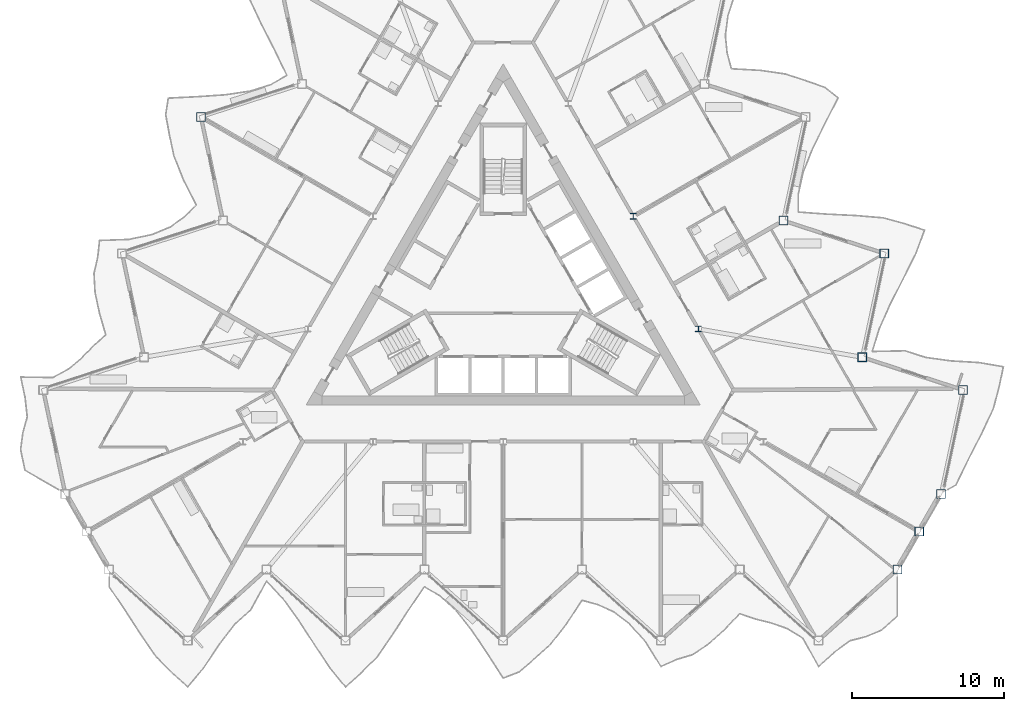
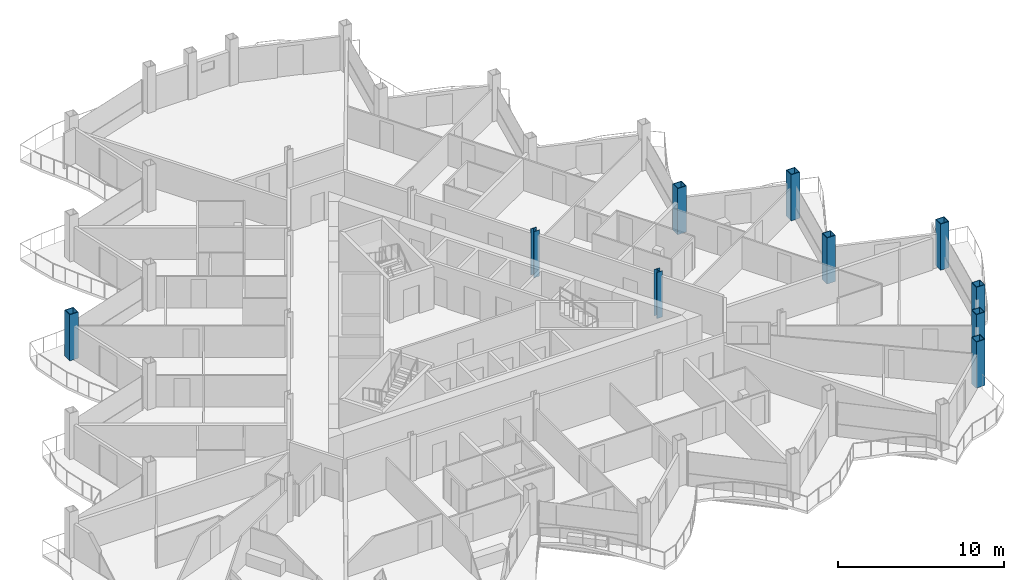
# One storey, part 2 of 26: 10 columns.
"""IFC4 building model written with IfcOpenShell, lengths in metres."""

import ifcopenshell
import ifcopenshell.guid

model = None  # the IFC model being written
_history = None  # IfcOwnerHistory: only IFC2X3 demands one
_inside = {}  # id of a spatial element -> (the spatial element, [elements in it])
_under = {}  # id of a project, library or spatial element -> (it, [spatial elements below it])
_declared = {}  # id of a project -> (the project, [libraries it declares])
_typed = {}  # id of a type object -> (the type object, [elements of that type])
_made_of = {}  # id of a material, layer set ... -> (it, [elements and type objects made of it])


def new_model(schema):
    """Start an empty IFC model of exactly this schema.

    Asked for "IFC4X3", IfcOpenShell would pick the latest addendum, in which some entities
    have other attributes; the version numbers below select the first issue.
    IFC2X3 requires an IfcOwnerHistory on every rooted entity: one is made here for all.
    """
    global model, _history
    if schema == "IFC4X3":
        model = ifcopenshell.file(schema_version=(4, 3, 0, 0))
    else:
        model = ifcopenshell.file(schema=schema)
    _inside.clear()
    _under.clear()
    _declared.clear()
    _typed.clear()
    _made_of.clear()
    _history = None
    if model.schema == "IFC2X3":
        org = make("IfcOrganization", Name="unknown")
        user = make(
            "IfcPersonAndOrganization",
            ThePerson=make("IfcPerson", FamilyName="unknown"),
            TheOrganization=org,
        )
        app = make(
            "IfcApplication",
            ApplicationDeveloper=org,
            Version="unknown",
            ApplicationFullName="unknown",
            ApplicationIdentifier="unknown",
        )
        _history = make(
            "IfcOwnerHistory",
            OwningUser=user,
            OwningApplication=app,
            ChangeAction="ADDED",
            CreationDate=0,
        )
    return model


def make(cls, **values):
    """One entity of the class cls with the attributes given. An attribute that is None is left unset."""
    return model.create_entity(
        cls, **{name: value for name, value in values.items() if value is not None}
    )


def rooted(cls, **values):
    """An entity with a GlobalId (a new one), such as an element, a storey or a relation."""
    return make(cls, GlobalId=ifcopenshell.guid.new(), OwnerHistory=_history, **values)


def si_unit(unit_type, name, prefix=None):
    """IfcSIUnit, for example si_unit("LENGTHUNIT", "METRE", prefix="MILLI")."""
    return make("IfcSIUnit", UnitType=unit_type, Prefix=prefix, Name=name)


def assignment(units):
    """IfcUnitAssignment: the units of a project."""
    return None if units is None else make("IfcUnitAssignment", Units=units)


def point(xyz):
    """IfcCartesianPoint."""
    return None if xyz is None else make("IfcCartesianPoint", Coordinates=xyz)


def direction(xyz):
    """IfcDirection."""
    return None if xyz is None else make("IfcDirection", DirectionRatios=xyz)


def frame(location, z_axis=None, x_axis=None):
    """IfcAxis2Placement3D, a coordinate frame: its origin and axes. An axis left out is left unset."""
    return make(
        "IfcAxis2Placement3D",
        Location=point(location),
        Axis=direction(z_axis),
        RefDirection=direction(x_axis),
    )


def frame_2d(location, x_axis=None):
    """IfcAxis2Placement2D, a coordinate frame in the plane: its origin and x axis."""
    return make(
        "IfcAxis2Placement2D", Location=point(location), RefDirection=direction(x_axis)
    )


def origin():
    """The frame at (0, 0, 0) with its axes left unset."""
    return frame((0.0, 0.0, 0.0))


def origin_2d():
    """The frame at (0, 0) in the plane with its x axis left unset."""
    return frame_2d((0.0, 0.0))


def place(relative_to, where):
    """IfcLocalPlacement: puts the frame where relative to a parent placement (None: the world)."""
    return make(
        "IfcLocalPlacement", PlacementRelTo=relative_to, RelativePlacement=where
    )


def context(
    kind, dimensions, precision=None, world=None, true_north=None, identifier=None
):
    """IfcGeometricRepresentationContext, for example the 3D "Model" context."""
    return make(
        "IfcGeometricRepresentationContext",
        ContextIdentifier=identifier,
        ContextType=kind,
        CoordinateSpaceDimension=dimensions,
        Precision=precision,
        WorldCoordinateSystem=world,
        TrueNorth=true_north,
    )


def subcontext(parent, identifier, kind, view, scale=None):
    """IfcGeometricRepresentationSubContext, for example "Body" below "Model"."""
    return make(
        "IfcGeometricRepresentationSubContext",
        ContextIdentifier=identifier,
        ContextType=kind,
        ParentContext=parent,
        TargetScale=scale,
        TargetView=view,
    )


def project(units=None, contexts=None):
    """IfcProject with its units and contexts."""
    return rooted(
        "IfcProject",
        Name="project",
        RepresentationContexts=contexts,
        UnitsInContext=assignment(units),
    )


def spatial(cls, under=None, at=None, **own):
    """A site, building, storey or space (cls), placed at a placement, below another one or the project."""
    s = rooted(cls, ObjectPlacement=at, **own)
    if under is not None:
        _under.setdefault(under.id(), (under, []))[1].append(s)
    return s


def profile(cls, at=None, kind="AREA", **sizes):
    """A parametric profile (cls). Its sizes go by their IFC names, for example OverallWidth=200.0."""
    return make(cls, ProfileType=kind, Position=at, **sizes)


def hollow_rectangle(**sizes):
    """IfcRectangleHollowProfileDef."""
    return profile("IfcRectangleHollowProfileDef", **sizes)


def i_section(**sizes):
    """IfcIShapeProfileDef."""
    return profile("IfcIShapeProfileDef", **sizes)


def extrude(swept, where, along, depth):
    """IfcExtrudedAreaSolid: the profile swept, set in the frame where, extruded along a direction by depth."""
    return make(
        "IfcExtrudedAreaSolid",
        SweptArea=swept,
        Position=where,
        ExtrudedDirection=direction(along),
        Depth=depth,
    )


def shape(context_of_items, identifier, shape_type, items):
    """IfcShapeRepresentation: the items that make up one representation, for example the "Body"."""
    return make(
        "IfcShapeRepresentation",
        ContextOfItems=context_of_items,
        RepresentationIdentifier=identifier,
        RepresentationType=shape_type,
        Items=items,
    )


def material(Name=None, Category=None):
    """IfcMaterial."""
    return make("IfcMaterial", Name=Name, Category=Category)


def material_profile(
    of_material, cross_section, Name=None, Category=None, Priority=None
):
    """IfcMaterialProfile: a cross section and its material."""
    return make(
        "IfcMaterialProfile",
        Name=Name,
        Material=of_material,
        Profile=cross_section,
        Priority=Priority,
        Category=Category,
    )


def profile_set(profiles, Name=None, composite=None):
    """IfcMaterialProfileSet."""
    return make(
        "IfcMaterialProfileSet",
        Name=Name,
        MaterialProfiles=profiles,
        CompositeProfile=composite,
    )


def made_of(thing, what):
    """Note that an element or type object is made of a material, layer set ...; save() writes the relation."""
    if what is not None:
        _made_of.setdefault(what.id(), (what, []))[1].append(thing)
    return thing


def type_object(cls, material=None, **own):
    """A type object (cls), such as IfcWallType, which elements share."""
    return made_of(rooted(cls, **own), material)


def element(
    cls,
    number,
    at=None,
    inside=None,
    cuts=None,
    type_object=None,
    material=None,
    context=None,
    identifier="Body",
    shape_type=None,
    held_by="IfcProductDefinitionShape",
    body=None,
    shapes=None,
    **own,
):
    """One element of the class cls, such as IfcWall. Its Tag is "e" and its number.

    at: its placement. inside: the storey or other place that contains it. cuts: it is an
    opening in that element (IfcRelVoidsElement). A single representation is given by context,
    identifier, shape_type and body (its items); several are given by shapes. held_by: the class
    of the entity that holds the representations. save() writes the other relations.
    """
    e = rooted(cls, Tag="e%d" % number, ObjectPlacement=at, **own)
    if body is not None:
        shapes = [shape(context, identifier, shape_type, body)]
    if shapes is not None:
        e.Representation = make(held_by, Representations=shapes)
    if inside is not None:
        _inside.setdefault(inside.id(), (inside, []))[1].append(e)
    if cuts is not None:
        rooted(
            "IfcRelVoidsElement", RelatingBuildingElement=cuts, RelatedOpeningElement=e
        )
    if type_object is not None:
        _typed.setdefault(type_object.id(), (type_object, []))[1].append(e)
    return made_of(e, material)


def aggregate(whole, parts):
    """IfcRelAggregates: a whole, such as a stair, and the parts it consists of."""
    return rooted("IfcRelAggregates", RelatingObject=whole, RelatedObjects=parts)


def save(model, path):
    """Write the relations noted so far, then the file.

    IfcRelAggregates (storeys below a building ...), IfcRelContainedInSpatialStructure (elements
    in a storey), IfcRelDefinesByType, IfcRelAssociatesMaterial and IfcRelDeclares: one each for
    every whole, place, type object, material and project.
    """
    for whole, parts in _under.values():
        aggregate(whole, parts)
    for where, things in _inside.values():
        rooted(
            "IfcRelContainedInSpatialStructure",
            RelatedElements=things,
            RelatingStructure=where,
        )
    for kind, things in _typed.values():
        rooted("IfcRelDefinesByType", RelatedObjects=things, RelatingType=kind)
    for what, things in _made_of.values():
        rooted("IfcRelAssociatesMaterial", RelatedObjects=things, RelatingMaterial=what)
    for by, libraries in _declared.values():
        rooted("IfcRelDeclares", RelatingContext=by, RelatedDefinitions=libraries)
    model.write(path)


model = new_model("IFC4")

# Units and contexts
model_context = context("Model", 3, precision=1e-05, world=origin(), true_north=direction((0.0, 1.0)))
body_context = subcontext(model_context, "Body", "Model", "MODEL_VIEW")
ifc_project = project(units=[si_unit("LENGTHUNIT", "METRE"), si_unit("AREAUNIT", "SQUARE_METRE"), si_unit("VOLUMEUNIT", "CUBIC_METRE"), si_unit("PLANEANGLEUNIT", "RADIAN"), si_unit("MASSUNIT", "GRAM", prefix="KILO")], contexts=[model_context])

# Site, building, storey
site_placement = place(None, origin())
site = spatial("IfcSite", under=ifc_project, at=site_placement, CompositionType="ELEMENT")
building_placement = place(site_placement, origin())
building = spatial("IfcBuilding", under=site, at=building_placement, Name="Cormorant Prow Tower", CompositionType="ELEMENT")
storey_placement = place(building_placement, frame((0.0, 0.0, 339.199951171875)))
storey = spatial("IfcBuildingStorey", under=building, at=storey_placement, Name="L76", CompositionType="ELEMENT", Elevation=339.199951171875)

# Columns
ifc_material_1 = material(Name="Structural steel ASTM A572 Gr 50", Category="steel")
ifc_material_profile_1 = material_profile(ifc_material_1, hollow_rectangle(XDim=0.60009765625, YDim=0.60009765625, WallThickness=0.0400390625, at=origin_2d()), Name="Box 600x600x40")
ifc_profile_set_1 = profile_set([ifc_material_profile_1], Name="Structural steel ASTM A572 Gr 50")
column_type_1 = type_object("IfcColumnType", Name="Perimeter box column 600x600x40", PredefinedType="COLUMN", material=ifc_profile_set_1)
for number, where, z_axis, x_axis, name in (
    (1, (25.995361328125, -18.326904296875, 0.0), (0.0, 0.0, 1.0), (1.0, 0.0, 0.0), "Perimeter column C6 at ESE00 L76"),
    (2, (27.432373046875, -15.838134765625, 0.0), (0.0, 0.0, 1.0), (1.0, 0.0, 0.0), "Perimeter column C6 at ESE01 L76"),
    (3, (28.869140625, -13.349365234375, 0.0), (0.0, 0.0, 1.0), (1.0, 0.0, 0.0), "Perimeter column C6 at ENE00 L76"),
    (4, (30.32373046875, -6.506103515625, 0.0), (0.0, 0.0, 1.0), (1.0, 0.0, 0.0), "Perimeter column C6 at ENE01 L76"),
    (5, (23.670166015625, -4.34423828125, 0.0), (0.0, 0.0, 1.0), (1.0, 0.0, 0.0), "Perimeter column C6 at ENE02 L76"),
    (6, (25.124755859375, 2.4990234375, 0.0), (0.0, 0.0, 1.0), (1.0, 0.0, 0.0), "Perimeter column C6 at ENE03 L76"),
    (7, (18.470947265625, 4.660888671875, 0.0), (0.0, 0.0, 1.0), (1.0, 0.0, 0.0), "Perimeter column C6 at ENE04 L76"),
    (8, (-19.925537109375, 11.504150390625, 0.0), (0.0, 0.0, 1.0), (1.0, 0.0, 0.0), "Perimeter column C6 at WNW05 L76"),
):
    element("IfcColumn", number, at=place(storey_placement, frame(where, z_axis=z_axis, x_axis=x_axis)), inside=storey, type_object=column_type_1, Name=name, PredefinedType="COLUMN", context=body_context, shape_type="SweptSolid", body=[
        extrude(hollow_rectangle(XDim=0.60009765625, YDim=0.60009765625, WallThickness=0.0400390625, at=origin_2d()), origin(), (0.0, 0.0, 1.0), 3.400146484375),
    ])
ifc_material_2 = material(Name="Structural steel ASTM A992 Gr 50", Category="steel")
ifc_material_profile_2 = material_profile(ifc_material_2, i_section(OverallWidth=0.3955078125, OverallDepth=0.380615234375, WebThickness=0.018798828125, FlangeThickness=0.0302734375, at=origin_2d()), Name="W14x159")
ifc_profile_set_2 = profile_set([ifc_material_profile_2], Name="Structural steel ASTM A992 Gr 50")
column_type_2 = type_object("IfcColumnType", Name="Ring column W14x159", PredefinedType="COLUMN", material=ifc_profile_set_2)
for number, where, z_axis, x_axis, name in (
    (9, (12.86767578125, -2.476318359375, 0.0), (0.0, 0.0, 1.0), (1.0, 0.0, 0.0), "Ring column 10 L76"),
    (10, (8.578369140625, 4.952880859375, 0.0), (0.0, 0.0, 1.0), (1.0, 0.0, 0.0), "Ring column 11 L76"),
):
    element("IfcColumn", number, at=place(storey_placement, frame(where, z_axis=z_axis, x_axis=x_axis)), inside=storey, type_object=column_type_2, Name=name, PredefinedType="COLUMN", context=body_context, shape_type="SweptSolid", body=[
        extrude(i_section(OverallWidth=0.3955078125, OverallDepth=0.380615234375, WebThickness=0.018798828125, FlangeThickness=0.0302734375, at=origin_2d()), origin(), (0.0, 0.0, 1.0), 3.400146484375),
    ])

save(model, "model.ifc")
